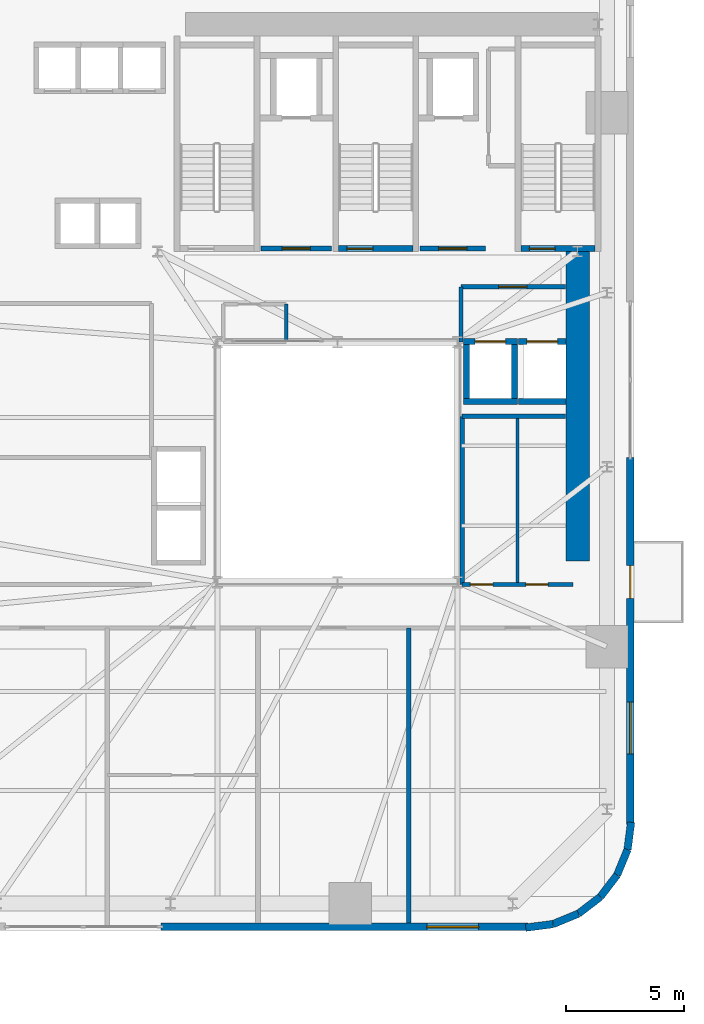
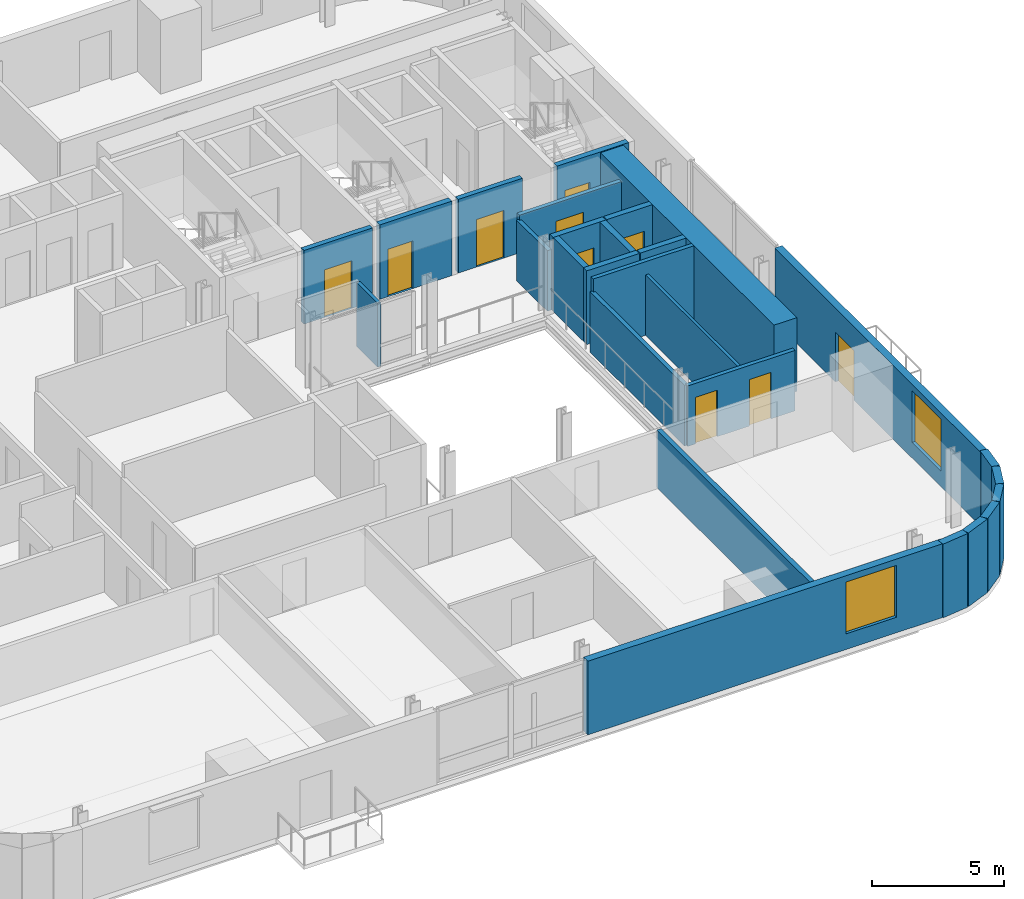
# One storey, part 7 of 13: 27 walls, 10 doors, 2 windows, 12 openings.
"""IFC4 building model written with IfcOpenShell, lengths in metres."""

from ifc_helpers import new_model, si_unit, direction, frame, frame_2d, origin, place, context, subcontext, project, spatial, rectangle, extrude, source, transform, mapped, material, layer, layer_set, type_object, element, fill, save


model = new_model("IFC4")

# Units and contexts
model_context = context("Model", 3, precision=1e-05, world=origin(), true_north=direction((0.0, 1.0)))
body_context = subcontext(model_context, "Body", "Model", "MODEL_VIEW")
ifc_project = project(units=[si_unit("LENGTHUNIT", "METRE"), si_unit("AREAUNIT", "SQUARE_METRE"), si_unit("VOLUMEUNIT", "CUBIC_METRE"), si_unit("PLANEANGLEUNIT", "RADIAN"), si_unit("MASSUNIT", "GRAM", prefix="KILO")], contexts=[model_context])

# Site, building, storey
site_placement = place(None, origin())
site = spatial("IfcSite", under=ifc_project, at=site_placement, CompositionType="ELEMENT")
building_placement = place(site_placement, origin())
building = spatial("IfcBuilding", under=site, at=building_placement, Name="Vardaveli Station Tower", CompositionType="ELEMENT")
storey_placement = place(building_placement, frame((0.0, 0.0, 31.25)))
storey = spatial("IfcBuildingStorey", under=building, at=storey_placement, Name="L07", CompositionType="ELEMENT", Elevation=31.25)

# Wall
ifc_material_1 = material(Name="Concrete C60/75", Category="concrete")
ifc_layer_1 = layer(ifc_material_1, 1.0, Name="Concrete C60/75")
ifc_layer_set_1 = layer_set([ifc_layer_1], Name="Concrete C60/75")
wall_type_1 = type_object("IfcWallType", Name="WAL-CORE-1000", PredefinedType="SHEAR", material=ifc_layer_set_1)
shared_shape_1 = source(origin(), body_context, "Body", "SweptSolid", [
    extrude(rectangle(XDim=13.14990234375, YDim=1.0, at=frame_2d((6.574951171875, 0.0))), origin(), (0.0, 0.0, 1.0), 3.409912109375),
])
wall_1_placement = place(storey_placement, frame((46.5, 17.5, 0.0), z_axis=(0.0, 0.0, 1.0), x_axis=(0.0, 1.0, 0.0)))
element("IfcWall", 1, at=wall_1_placement, inside=storey, type_object=wall_type_1, Name="SW-L07-EAST2", PredefinedType="SHEAR", context=body_context, shape_type="MappedRepresentation", body=[
    mapped(shared_shape_1, transform((0.0, 0.0, 0.0), scale=1.0)),
])

# Wall, opening, window
ifc_material_2 = material(Name="Precast concrete C45/55", Category="concrete")
ifc_layer_2 = layer(ifc_material_2, 0.320068359375, Name="Precast concrete C45/55")
ifc_layer_set_2 = layer_set([ifc_layer_2], Name="Precast concrete C45/55")
wall_type_2 = type_object("IfcWallType", Name="WAL-EXT-STONE-320", PredefinedType="SOLIDWALL", material=ifc_layer_set_2)
shared_shape_2 = source(origin(), body_context, "Body", "SweptSolid", [
    extrude(rectangle(XDim=15.599853515625, YDim=0.320068359375, at=frame_2d((7.7998046875, 0.0))), origin(), (0.0, 0.0, 1.0), 3.409912109375),
])
wall_2_placement = place(storey_placement, frame((28.800048828125, 1.9599609375, 0.0), z_axis=(0.0, 0.0, 1.0), x_axis=(1.0, 0.0, 0.0)))
wall_2 = element("IfcWall", 2, at=wall_2_placement, inside=storey, type_object=wall_type_2, Name="EW-L07-S2", PredefinedType="SOLIDWALL", context=body_context, shape_type="MappedRepresentation", body=[
    mapped(shared_shape_2, transform((0.0, 0.0, 0.0), scale=1.0)),
])
shared_shape_3 = source(origin(), body_context, "Body", "SweptSolid", [
    extrude(rectangle(XDim=2.199951171875, YDim=2.39990234375, at=frame_2d((1.10009765625, 1.199951171875))), frame((0.0, 0.169921875, 0.0), z_axis=(0.0, -1.0, 0.0), x_axis=(1.0, 0.0, 0.0)), (0.0, 0.0, 1.0), 0.340087890625),
])
opening_1_placement = place(wall_2_placement, frame((11.294921875, 0.0, 0.719970703125)))
opening_1 = element("IfcOpeningElement", 3, at=opening_1_placement, cuts=wall_2, Name="Opening W-03", PredefinedType="OPENING", context=body_context, shape_type="MappedRepresentation", body=[
    mapped(shared_shape_3, transform((0.0, 0.0, 0.0), scale=1.0)),
])
ifc_material_3 = material(Name="Low-E solar-control glass", Category="glass")
window_type = type_object("IfcWindowType", Name="WIN-LOG-2200x2400", PartitioningType="SINGLE_PANEL", PredefinedType="WINDOW", material=ifc_material_3)
shared_shape_4 = source(origin(), body_context, "Body", "SweptSolid", [
    extrude(rectangle(XDim=2.199951171875, YDim=2.39990234375, at=frame_2d((1.10009765625, 1.199951171875))), frame((0.0, 0.030029296875, 0.0), z_axis=(0.0, -1.0, 0.0), x_axis=(1.0, 0.0, 0.0)), (0.0, 0.0, 1.0), 0.06005859375),
])
window_1_placement = place(opening_1_placement, origin())
window_1 = element("IfcWindow", 4, at=window_1_placement, inside=storey, type_object=window_type, Name="WN-L07-S2", OverallHeight=2.39990234375, OverallWidth=2.199951171875, PartitioningType="SINGLE_PANEL", PredefinedType="WINDOW", context=body_context, shape_type="MappedRepresentation", body=[
    mapped(shared_shape_4, transform((0.0, 0.0, 0.0), scale=1.0)),
])
fill(opening_1, window_1)

# Wall, openings, door, window
wall_3_placement = place(storey_placement, frame((48.739990234375, 6.300048828125, 0.0), z_axis=(0.0, 0.0, 1.0), x_axis=(0.0, 1.0, 0.0)))
wall_3 = element("IfcWall", 5, at=wall_3_placement, inside=storey, type_object=wall_type_2, Name="EW-L07-E1", PredefinedType="SOLIDWALL", context=body_context, shape_type="MappedRepresentation", body=[
    mapped(shared_shape_2, transform((0.0, 0.0, 0.0), scale=1.0)),
])
shared_shape_5 = source(origin(), body_context, "Body", "SweptSolid", [
    extrude(rectangle(XDim=1.39990234375, YDim=2.300048828125, at=frame_2d((0.699951171875, 1.14990234375))), frame((0.0, 0.169921875, 0.0), z_axis=(0.0, -1.0, 0.0), x_axis=(1.0, 0.0, 0.0)), (0.0, 0.0, 1.0), 0.340087890625),
])
opening_2_placement = place(wall_3_placement, frame((9.6103515625, 0.0, 0.0)))
opening_2 = element("IfcOpeningElement", 6, at=opening_2_placement, cuts=wall_3, Name="Opening D-09", PredefinedType="OPENING", context=body_context, shape_type="MappedRepresentation", body=[
    mapped(shared_shape_5, transform((0.0, 0.0, 0.0), scale=1.0)),
])
opening_3_placement = place(wall_3_placement, frame((3.0048828125, 0.0, 0.719970703125)))
opening_3 = element("IfcOpeningElement", 7, at=opening_3_placement, cuts=wall_3, Name="Opening W-03", PredefinedType="OPENING", context=body_context, shape_type="MappedRepresentation", body=[
    mapped(shared_shape_3, transform((0.0, 0.0, 0.0), scale=1.0)),
])
ifc_material_4 = material(Name="Thermally broken aluminium glass", Category="aluminium")
door_type_1 = type_object("IfcDoorType", Name="DR-LOG-1400x2300", OperationType="DOUBLE_DOOR_SLIDING", PredefinedType="DOOR", material=ifc_material_4)
shared_shape_6 = source(origin(), body_context, "Body", "SweptSolid", [
    extrude(rectangle(XDim=1.39990234375, YDim=2.300048828125, at=frame_2d((0.699951171875, 1.14990234375))), frame((0.0, 0.02490234375, 0.0), z_axis=(0.0, -1.0, 0.0), x_axis=(1.0, 0.0, 0.0)), (0.0, 0.0, 1.0), 0.050048828125),
])
door_1_placement = place(opening_2_placement, frame((1.39990234375, 0.0, 0.0), z_axis=(0.0, 0.0, 1.0), x_axis=(-1.0, 0.0, 0.0)))
door_1 = element("IfcDoor", 8, at=door_1_placement, inside=storey, type_object=door_type_1, Name="DLG-L07-E", OperationType="DOUBLE_DOOR_SLIDING", OverallHeight=2.300048828125, OverallWidth=1.39990234375, PredefinedType="DOOR", context=body_context, shape_type="MappedRepresentation", body=[
    mapped(shared_shape_6, transform((0.0, 0.0, 0.0), scale=1.0)),
])
fill(opening_2, door_1)
window_2_placement = place(opening_3_placement, origin())
window_2 = element("IfcWindow", 9, at=window_2_placement, inside=storey, type_object=window_type, Name="WN-L07-E1", OverallHeight=2.39990234375, OverallWidth=2.199951171875, PartitioningType="SINGLE_PANEL", PredefinedType="WINDOW", context=body_context, shape_type="MappedRepresentation", body=[
    mapped(shared_shape_4, transform((0.0, 0.0, 0.0), scale=1.0)),
])
fill(opening_3, window_2)

# Walls
shared_shape_7 = source(origin(), body_context, "Body", "SweptSolid", [
    extrude(rectangle(XDim=1.170654296875, YDim=0.320068359375, at=frame_2d((0.58544921875, 0.0))), origin(), (0.0, 0.0, 1.0), 3.409912109375),
])
wall_4_placement = place(storey_placement, frame((48.62548828125, 5.23974609375, 0.0), z_axis=(0.0, 0.0, 1.0), x_axis=(0.128269133229, 0.991739395941, 0.0)))
element("IfcWall", 10, at=wall_4_placement, inside=storey, type_object=wall_type_2, Name="EW-L07-CR2-6", PredefinedType="SOLIDWALL", context=body_context, shape_type="MappedRepresentation", body=[
    mapped(shared_shape_7, transform((0.0, 0.0, 0.0), scale=1.0)),
])
shared_shape_8 = source(origin(), body_context, "Body", "SweptSolid", [
    extrude(rectangle(XDim=1.1689453125, YDim=0.320068359375, at=frame_2d((0.58447265625, 0.0))), origin(), (0.0, 0.0, 1.0), 3.409912109375),
])
for number, where, z_axis, x_axis, name in (
    (11, (47.46875, 3.231201171875, 0.0), (0.0, 0.0, 1.0), (0.608387696831, 0.793639975269, 0.0), "EW-L07-CR2-4"),
    (12, (48.179931640625, 4.158935546875, 0.0), (0.0, 0.0, 1.0), (0.381127904695, 0.924522320046, 0.0), "EW-L07-CR2-5"),
):
    element("IfcWall", number, at=place(storey_placement, frame(where, z_axis=z_axis, x_axis=x_axis)), inside=storey, type_object=wall_type_2, Name=name, PredefinedType="SOLIDWALL", context=body_context, shape_type="MappedRepresentation", body=[
        mapped(shared_shape_8, transform((0.0, 0.0, 0.0), scale=1.0)),
    ])
shared_shape_9 = source(origin(), body_context, "Body", "SweptSolid", [
    extrude(rectangle(XDim=1.168701171875, YDim=0.320068359375, at=frame_2d((0.58447265625, 0.0))), origin(), (0.0, 0.0, 1.0), 3.409912109375),
])
wall_5_placement = place(storey_placement, frame((46.541259765625, 2.520263671875, 0.0), z_axis=(0.0, 0.0, 1.0), x_axis=(0.793663520347, 0.608356981114, 0.0)))
element("IfcWall", 13, at=wall_5_placement, inside=storey, type_object=wall_type_2, Name="EW-L07-CR2-3", PredefinedType="SOLIDWALL", context=body_context, shape_type="MappedRepresentation", body=[
    mapped(shared_shape_9, transform((0.0, 0.0, 0.0), scale=1.0)),
])
shared_shape_10 = source(origin(), body_context, "Body", "SweptSolid", [
    extrude(rectangle(XDim=1.16943359375, YDim=0.320068359375, at=frame_2d((0.584716796875, 0.0))), origin(), (0.0, 0.0, 1.0), 3.409912109375),
])
wall_6_placement = place(storey_placement, frame((45.460205078125, 2.074462890625, 0.0), z_axis=(0.0, 0.0, 1.0), x_axis=(0.924479075121, 0.381232789334, 0.0)))
element("IfcWall", 14, at=wall_6_placement, inside=storey, type_object=wall_type_2, Name="EW-L07-CR2-2", PredefinedType="SOLIDWALL", context=body_context, shape_type="MappedRepresentation", body=[
    mapped(shared_shape_10, transform((0.0, 0.0, 0.0), scale=1.0)),
])
shared_shape_11 = source(origin(), body_context, "Body", "SweptSolid", [
    extrude(rectangle(XDim=1.170166015625, YDim=0.320068359375, at=frame_2d((0.5849609375, 0.0))), origin(), (0.0, 0.0, 1.0), 3.409912109375),
])
wall_7_placement = place(storey_placement, frame((44.299560546875, 1.924560546875, 0.0), z_axis=(0.0, 0.0, 1.0), x_axis=(0.991762485493, 0.128090485085, 0.0)))
element("IfcWall", 15, at=wall_7_placement, inside=storey, type_object=wall_type_2, Name="EW-L07-CR2-1", PredefinedType="SOLIDWALL", context=body_context, shape_type="MappedRepresentation", body=[
    mapped(shared_shape_11, transform((0.0, 0.0, 0.0), scale=1.0)),
])

# Wall, opening, door
ifc_material_5 = material(Name="Concrete C40/50", Category="concrete")
ifc_layer_3 = layer(ifc_material_5, 0.25, Name="Concrete C40/50")
ifc_layer_set_3 = layer_set([ifc_layer_3], Name="Concrete C40/50")
wall_type_3 = type_object("IfcWallType", Name="WAL-SHAFT-250", PredefinedType="SOLIDWALL", material=ifc_layer_set_3)
shared_shape_12 = source(origin(), body_context, "Body", "SweptSolid", [
    extrude(rectangle(XDim=3.14990234375, YDim=0.25, at=frame_2d((1.574951171875, 0.0))), origin(), (0.0, 0.0, 1.0), 3.449951171875),
])
wall_8_placement = place(storey_placement, frame((36.35009765625, 30.77490234375, 0.0), z_axis=(0.0, 0.0, 1.0), x_axis=(1.0, 0.0, 0.0)))
wall_8 = element("IfcWall", 16, at=wall_8_placement, inside=storey, type_object=wall_type_3, Name="W-L07-ST-2S", PredefinedType="SOLIDWALL", context=body_context, shape_type="MappedRepresentation", body=[
    mapped(shared_shape_12, transform((0.0, 0.0, 0.0), scale=1.0)),
])
shared_shape_13 = source(origin(), body_context, "Body", "SweptSolid", [
    extrude(rectangle(XDim=1.10009765625, YDim=2.199951171875, at=frame_2d((0.550048828125, 1.10009765625))), frame((0.0, 0.135009765625, 0.0), z_axis=(0.0, -1.0, 0.0), x_axis=(1.0, 0.0, 0.0)), (0.0, 0.0, 1.0), 0.27001953125),
])
opening_4_placement = place(wall_8_placement, frame((0.35009765625, 0.0, 0.0)))
opening_4 = element("IfcOpeningElement", 17, at=opening_4_placement, cuts=wall_8, Name="Opening D-04", PredefinedType="OPENING", context=body_context, shape_type="MappedRepresentation", body=[
    mapped(shared_shape_13, transform((0.0, 0.0, 0.0), scale=1.0)),
])
ifc_material_6 = material(Name="Steel smokeproof fire doorset", Category="steel")
door_type_2 = type_object("IfcDoorType", Name="DR-ST-1100x2200", OperationType="NOTDEFINED", PredefinedType="DOOR", material=ifc_material_6)
shared_shape_14 = source(origin(), body_context, "Body", "SweptSolid", [
    extrude(rectangle(XDim=1.10009765625, YDim=2.199951171875, at=frame_2d((0.550048828125, 1.10009765625))), frame((0.0, 0.02490234375, 0.0), z_axis=(0.0, -1.0, 0.0), x_axis=(1.0, 0.0, 0.0)), (0.0, 0.0, 1.0), 0.050048828125),
])
door_2_placement = place(opening_4_placement, origin())
door_2 = element("IfcDoor", 18, at=door_2_placement, inside=storey, type_object=door_type_2, Name="DST-2-L07", OperationType="SINGLE_SWING_LEFT", OverallHeight=2.199951171875, OverallWidth=1.10009765625, PredefinedType="DOOR", context=body_context, shape_type="MappedRepresentation", body=[
    mapped(shared_shape_14, transform((0.0, 0.0, 0.0), scale=1.0)),
])
fill(opening_4, door_2)

wall_9_placement = place(storey_placement, frame((44.10009765625, 30.77490234375, 0.0), z_axis=(0.0, 0.0, 1.0), x_axis=(1.0, 0.0, 0.0)))
wall_9 = element("IfcWall", 19, at=wall_9_placement, inside=storey, type_object=wall_type_3, Name="W-L07-ST-3S", PredefinedType="SOLIDWALL", context=body_context, shape_type="MappedRepresentation", body=[
    mapped(shared_shape_12, transform((0.0, 0.0, 0.0), scale=1.0)),
])
opening_5_placement = place(wall_9_placement, frame((0.35009765625, 0.0, 0.0)))
opening_5 = element("IfcOpeningElement", 20, at=opening_5_placement, cuts=wall_9, Name="Opening D-04", PredefinedType="OPENING", context=body_context, shape_type="MappedRepresentation", body=[
    mapped(shared_shape_13, transform((0.0, 0.0, 0.0), scale=1.0)),
])
door_3_placement = place(opening_5_placement, origin())
door_3 = element("IfcDoor", 21, at=door_3_placement, inside=storey, type_object=door_type_2, Name="DST-3-L07", OperationType="SINGLE_SWING_LEFT", OverallHeight=2.199951171875, OverallWidth=1.10009765625, PredefinedType="DOOR", context=body_context, shape_type="MappedRepresentation", body=[
    mapped(shared_shape_14, transform((0.0, 0.0, 0.0), scale=1.0)),
])
fill(opening_5, door_3)

ifc_layer_4 = layer(ifc_material_5, 0.219970703125, Name="Concrete C40/50")
ifc_layer_set_4 = layer_set([ifc_layer_4], Name="Concrete C40/50")
wall_type_4 = type_object("IfcWallType", Name="WAL-FFLOBBY-220", PredefinedType="SOLIDWALL", material=ifc_layer_set_4)
shared_shape_15 = source(origin(), body_context, "Body", "SweptSolid", [
    extrude(rectangle(XDim=3.0, YDim=0.219970703125, at=frame_2d((1.5, 0.0))), origin(), (0.0, 0.0, 1.0), 3.409912109375),
])
wall_10_placement = place(storey_placement, frame((33.050048828125, 30.780029296875, 0.0), z_axis=(0.0, 0.0, 1.0), x_axis=(1.0, 0.0, 0.0)))
wall_10 = element("IfcWall", 22, at=wall_10_placement, inside=storey, type_object=wall_type_4, Name="W-L07-FFL1S", PredefinedType="SOLIDWALL", context=body_context, shape_type="MappedRepresentation", body=[
    mapped(shared_shape_15, transform((0.0, 0.0, 0.0), scale=1.0)),
])
shared_shape_16 = source(origin(), body_context, "Body", "SweptSolid", [
    extrude(rectangle(XDim=1.199951171875, YDim=2.199951171875, at=frame_2d((0.60009765625, 1.10009765625))), frame((0.0, 0.1201171875, 0.0), z_axis=(0.0, -1.0, 0.0), x_axis=(1.0, 0.0, 0.0)), (0.0, 0.0, 1.0), 0.239990234375),
])
opening_6_placement = place(wall_10_placement, frame((0.89990234375, 0.0, 0.0)))
opening_6 = element("IfcOpeningElement", 23, at=opening_6_placement, cuts=wall_10, Name="Opening D-03", PredefinedType="OPENING", context=body_context, shape_type="MappedRepresentation", body=[
    mapped(shared_shape_16, transform((0.0, 0.0, 0.0), scale=1.0)),
])
door_type_3 = type_object("IfcDoorType", Name="DR-FFL-1200x2200", OperationType="NOTDEFINED", PredefinedType="DOOR", material=ifc_material_6)
shared_shape_17 = source(origin(), body_context, "Body", "SweptSolid", [
    extrude(rectangle(XDim=1.199951171875, YDim=2.199951171875, at=frame_2d((0.60009765625, 1.10009765625))), frame((0.0, 0.02490234375, 0.0), z_axis=(0.0, -1.0, 0.0), x_axis=(1.0, 0.0, 0.0)), (0.0, 0.0, 1.0), 0.050048828125),
])
door_4_placement = place(opening_6_placement, origin())
door_4 = element("IfcDoor", 24, at=door_4_placement, inside=storey, type_object=door_type_3, Name="DFFL1-L07", OperationType="SINGLE_SWING_LEFT", OverallHeight=2.199951171875, OverallWidth=1.199951171875, PredefinedType="DOOR", context=body_context, shape_type="MappedRepresentation", body=[
    mapped(shared_shape_17, transform((0.0, 0.0, 0.0), scale=1.0)),
])
fill(opening_6, door_4)

shared_shape_18 = source(origin(), body_context, "Body", "SweptSolid", [
    extrude(rectangle(XDim=2.800048828125, YDim=0.219970703125, at=frame_2d((1.39990234375, 0.0))), origin(), (0.0, 0.0, 1.0), 3.409912109375),
])
wall_11_placement = place(storey_placement, frame((39.800048828125, 30.780029296875, 0.0), z_axis=(0.0, 0.0, 1.0), x_axis=(1.0, 0.0, 0.0)))
wall_11 = element("IfcWall", 25, at=wall_11_placement, inside=storey, type_object=wall_type_4, Name="W-L07-FFL2S", PredefinedType="SOLIDWALL", context=body_context, shape_type="MappedRepresentation", body=[
    mapped(shared_shape_18, transform((0.0, 0.0, 0.0), scale=1.0)),
])
opening_7_placement = place(wall_11_placement, frame((0.800048828125, 0.0, 0.0)))
opening_7 = element("IfcOpeningElement", 26, at=opening_7_placement, cuts=wall_11, Name="Opening D-03", PredefinedType="OPENING", context=body_context, shape_type="MappedRepresentation", body=[
    mapped(shared_shape_16, transform((0.0, 0.0, 0.0), scale=1.0)),
])
door_5_placement = place(opening_7_placement, origin())
door_5 = element("IfcDoor", 27, at=door_5_placement, inside=storey, type_object=door_type_3, Name="DFFL2-L07", OperationType="SINGLE_SWING_RIGHT", OverallHeight=2.199951171875, OverallWidth=1.199951171875, PredefinedType="DOOR", context=body_context, shape_type="MappedRepresentation", body=[
    mapped(shared_shape_17, transform((0.0, 0.0, 0.0), scale=1.0)),
])
fill(opening_7, door_5)

# Wall
shared_shape_19 = source(origin(), body_context, "Body", "SweptSolid", [
    extrude(rectangle(XDim=2.300048828125, YDim=0.25, at=frame_2d((1.14990234375, 0.0))), origin(), (0.0, 0.0, 1.0), 3.409912109375),
])
wall_12_placement = place(storey_placement, frame((41.64990234375, 24.27490234375, 0.0), z_axis=(0.0, 0.0, 1.0), x_axis=(1.0, 0.0, 0.0)))
element("IfcWall", 28, at=wall_12_placement, inside=storey, type_object=wall_type_3, Name="SHW-SRV-01-L07-S", PredefinedType="SOLIDWALL", context=body_context, shape_type="MappedRepresentation", body=[
    mapped(shared_shape_19, transform((0.0, 0.0, 0.0), scale=1.0)),
])

# Wall, opening, door
wall_13_placement = place(storey_placement, frame((41.64990234375, 26.824951171875, 0.0), z_axis=(0.0, 0.0, 1.0), x_axis=(1.0, 0.0, 0.0)))
wall_13 = element("IfcWall", 29, at=wall_13_placement, inside=storey, type_object=wall_type_3, Name="SHW-SRV-01-L07-N", PredefinedType="SOLIDWALL", context=body_context, shape_type="MappedRepresentation", body=[
    mapped(shared_shape_19, transform((0.0, 0.0, 0.0), scale=1.0)),
])
shared_shape_20 = source(origin(), body_context, "Body", "SweptSolid", [
    extrude(rectangle(XDim=1.300048828125, YDim=2.300048828125, at=frame_2d((0.64990234375, 1.14990234375))), frame((0.0, 0.135009765625, 0.0), z_axis=(0.0, -1.0, 0.0), x_axis=(1.0, 0.0, 0.0)), (0.0, 0.0, 1.0), 0.27001953125),
])
opening_8_placement = place(wall_13_placement, frame((0.5, 0.0, 0.0)))
opening_8 = element("IfcOpeningElement", 30, at=opening_8_placement, cuts=wall_13, Name="Opening LD-03", PredefinedType="OPENING", context=body_context, shape_type="MappedRepresentation", body=[
    mapped(shared_shape_20, transform((0.0, 0.0, 0.0), scale=1.0)),
])
ifc_material_7 = material(Name="Brushed stainless steel", Category="steel")
door_type_4 = type_object("IfcDoorType", Name="DR-LD-1300x2300", OperationType="DOUBLE_DOOR_SLIDING", PredefinedType="DOOR", material=ifc_material_7)
shared_shape_21 = source(origin(), body_context, "Body", "SweptSolid", [
    extrude(rectangle(XDim=1.300048828125, YDim=2.300048828125, at=frame_2d((0.64990234375, 1.14990234375))), frame((0.0, 0.02490234375, 0.0), z_axis=(0.0, -1.0, 0.0), x_axis=(1.0, 0.0, 0.0)), (0.0, 0.0, 1.0), 0.050048828125),
])
door_6_placement = place(opening_8_placement, origin())
door_6 = element("IfcDoor", 31, at=door_6_placement, inside=storey, type_object=door_type_4, Name="LD-SRV-01-L07", OperationType="DOUBLE_DOOR_SLIDING", OverallHeight=2.300048828125, OverallWidth=1.300048828125, PredefinedType="DOOR", context=body_context, shape_type="MappedRepresentation", body=[
    mapped(shared_shape_21, transform((0.0, 0.0, 0.0), scale=1.0)),
])
fill(opening_8, door_6)

# Walls
for number, where, z_axis, x_axis, name in (
    (32, (41.77490234375, 24.39990234375, 0.0), (0.0, 0.0, 1.0), (0.0, 1.0, 0.0), "SHW-SRV-01-L07-W"),
    (33, (43.824951171875, 24.39990234375, 0.0), (0.0, 0.0, 1.0), (0.0, 1.0, 0.0), "SHW-SRV-01-L07-E"),
):
    element("IfcWall", number, at=place(storey_placement, frame(where, z_axis=z_axis, x_axis=x_axis)), inside=storey, type_object=wall_type_3, Name=name, PredefinedType="SOLIDWALL", context=body_context, shape_type="MappedRepresentation", body=[
        mapped(shared_shape_19, transform((0.0, 0.0, 0.0), scale=1.0)),
    ])
shared_shape_22 = source(origin(), body_context, "Body", "SweptSolid", [
    extrude(rectangle(XDim=2.0, YDim=0.25, at=frame_2d((1.0, 0.0))), origin(), (0.0, 0.0, 1.0), 3.409912109375),
])
wall_14_placement = place(storey_placement, frame((44.0, 24.27490234375, 0.0), z_axis=(0.0, 0.0, 1.0), x_axis=(1.0, 0.0, 0.0)))
element("IfcWall", 34, at=wall_14_placement, inside=storey, type_object=wall_type_3, Name="SHW-SRV-02-L07-S", PredefinedType="SOLIDWALL", context=body_context, shape_type="MappedRepresentation", body=[
    mapped(shared_shape_22, transform((0.0, 0.0, 0.0), scale=1.0)),
])

# Wall, opening, door
wall_15_placement = place(storey_placement, frame((44.0, 26.824951171875, 0.0), z_axis=(0.0, 0.0, 1.0), x_axis=(1.0, 0.0, 0.0)))
wall_15 = element("IfcWall", 35, at=wall_15_placement, inside=storey, type_object=wall_type_3, Name="SHW-SRV-02-L07-N", PredefinedType="SOLIDWALL", context=body_context, shape_type="MappedRepresentation", body=[
    mapped(shared_shape_22, transform((0.0, 0.0, 0.0), scale=1.0)),
])
opening_9_placement = place(wall_15_placement, frame((0.35009765625, 0.0, 0.0)))
opening_9 = element("IfcOpeningElement", 36, at=opening_9_placement, cuts=wall_15, Name="Opening LD-03", PredefinedType="OPENING", context=body_context, shape_type="MappedRepresentation", body=[
    mapped(shared_shape_20, transform((0.0, 0.0, 0.0), scale=1.0)),
])
door_7_placement = place(opening_9_placement, origin())
door_7 = element("IfcDoor", 37, at=door_7_placement, inside=storey, type_object=door_type_4, Name="LD-SRV-02-L07", OperationType="DOUBLE_DOOR_SLIDING", OverallHeight=2.300048828125, OverallWidth=1.300048828125, PredefinedType="DOOR", context=body_context, shape_type="MappedRepresentation", body=[
    mapped(shared_shape_21, transform((0.0, 0.0, 0.0), scale=1.0)),
])
fill(opening_9, door_7)

ifc_material_8 = material(Name="Fire-rated gypsum stud partition")
ifc_layer_5 = layer(ifc_material_8, 0.179931640625, Name="Fire-rated gypsum stud partition")
ifc_layer_set_5 = layer_set([ifc_layer_5], Name="Fire-rated gypsum stud partition")
wall_type_5 = type_object("IfcWallType", Name="WAL-CORR-180", PredefinedType="PARTITIONING", material=ifc_layer_set_5)
shared_shape_23 = source(origin(), body_context, "Body", "SweptSolid", [
    extrude(rectangle(XDim=4.447998046875, YDim=0.179931640625, at=frame_2d((2.22412109375, 0.0))), origin(), (0.0, 0.0, 1.0), 3.0419921875),
])
wall_16_placement = place(storey_placement, frame((41.550048828125, 29.14990234375, 0.0), z_axis=(0.0, 0.0, 1.0), x_axis=(1.0, 0.0, 0.0)))
wall_16 = element("IfcWall", 38, at=wall_16_placement, inside=storey, type_object=wall_type_5, Name="W-L07-SVFN", PredefinedType="PARTITIONING", context=body_context, shape_type="MappedRepresentation", body=[
    mapped(shared_shape_23, transform((0.0, 0.0, 0.0), scale=1.0)),
])
shared_shape_24 = source(origin(), body_context, "Body", "SweptSolid", [
    extrude(rectangle(XDim=1.199951171875, YDim=2.199951171875, at=frame_2d((0.60009765625, 1.10009765625))), frame((0.0, 0.10009765625, 0.0), z_axis=(0.0, -1.0, 0.0), x_axis=(1.0, 0.0, 0.0)), (0.0, 0.0, 1.0), 0.199951171875),
])
opening_10_placement = place(wall_16_placement, frame((1.60009765625, 0.0, 0.0)))
opening_10 = element("IfcOpeningElement", 39, at=opening_10_placement, cuts=wall_16, Name="Opening D-03", PredefinedType="OPENING", context=body_context, shape_type="MappedRepresentation", body=[
    mapped(shared_shape_24, transform((0.0, 0.0, 0.0), scale=1.0)),
])
door_8_placement = place(opening_10_placement, origin())
door_8 = element("IfcDoor", 40, at=door_8_placement, inside=storey, type_object=door_type_3, Name="D-L07-SVF", OperationType="SINGLE_SWING_RIGHT", OverallHeight=2.199951171875, OverallWidth=1.199951171875, PredefinedType="DOOR", context=body_context, shape_type="MappedRepresentation", body=[
    mapped(shared_shape_17, transform((0.0, 0.0, 0.0), scale=1.0)),
])
fill(opening_10, door_8)

# Wall, openings, doors
shared_shape_25 = source(origin(), body_context, "Body", "SweptSolid", [
    extrude(rectangle(XDim=4.699951171875, YDim=0.179931640625, at=frame_2d((2.35009765625, 0.0))), origin(), (0.0, 0.0, 1.0), 2.802001953125),
])
wall_17_placement = place(storey_placement, frame((41.60009765625, 16.5, 0.0), z_axis=(0.0, 0.0, 1.0), x_axis=(1.0, 0.0, 0.0)))
wall_17 = element("IfcWall", 41, at=wall_17_placement, inside=storey, type_object=wall_type_5, Name="W-L07-ATE-S", PredefinedType="PARTITIONING", context=body_context, shape_type="MappedRepresentation", body=[
    mapped(shared_shape_25, transform((0.0, 0.0, 0.0), scale=1.0)),
])
shared_shape_26 = source(origin(), body_context, "Body", "SweptSolid", [
    extrude(rectangle(XDim=0.949951171875, YDim=2.14990234375, at=frame_2d((0.47509765625, 1.074951171875))), frame((0.0, 0.10009765625, 0.0), z_axis=(0.0, -1.0, 0.0), x_axis=(1.0, 0.0, 0.0)), (0.0, 0.0, 1.0), 0.199951171875),
])
opening_11_placement = place(wall_17_placement, frame((0.35009765625, 0.0, 0.0)))
opening_11 = element("IfcOpeningElement", 42, at=opening_11_placement, cuts=wall_17, Name="Opening D-11", PredefinedType="OPENING", context=body_context, shape_type="MappedRepresentation", body=[
    mapped(shared_shape_26, transform((0.0, 0.0, 0.0), scale=1.0)),
])
opening_12_placement = place(wall_17_placement, frame((2.699951171875, 0.0, 0.0)))
opening_12 = element("IfcOpeningElement", 43, at=opening_12_placement, cuts=wall_17, Name="Opening D-11", PredefinedType="OPENING", context=body_context, shape_type="MappedRepresentation", body=[
    mapped(shared_shape_26, transform((0.0, 0.0, 0.0), scale=1.0)),
])
ifc_material_9 = material(Name="Oak veneer internal suite door")
door_type_5 = type_object("IfcDoorType", Name="DR-INT-950x2150", OperationType="NOTDEFINED", PredefinedType="DOOR", material=ifc_material_9)
shared_shape_27 = source(origin(), body_context, "Body", "SweptSolid", [
    extrude(rectangle(XDim=0.949951171875, YDim=2.14990234375, at=frame_2d((0.47509765625, 1.074951171875))), frame((0.0, 0.02490234375, 0.0), z_axis=(0.0, -1.0, 0.0), x_axis=(1.0, 0.0, 0.0)), (0.0, 0.0, 1.0), 0.050048828125),
])
door_9_placement = place(opening_11_placement, origin())
door_9 = element("IfcDoor", 44, at=door_9_placement, inside=storey, type_object=door_type_5, Name="D-L07-ATE1", OperationType="SINGLE_SWING_RIGHT", OverallHeight=2.14990234375, OverallWidth=0.949951171875, PredefinedType="DOOR", context=body_context, shape_type="MappedRepresentation", body=[
    mapped(shared_shape_27, transform((0.0, 0.0, 0.0), scale=1.0)),
])
fill(opening_11, door_9)
door_10_placement = place(opening_12_placement, origin())
door_10 = element("IfcDoor", 45, at=door_10_placement, inside=storey, type_object=door_type_5, Name="D-L07-ATE2", OperationType="SINGLE_SWING_RIGHT", OverallHeight=2.14990234375, OverallWidth=0.949951171875, PredefinedType="DOOR", context=body_context, shape_type="MappedRepresentation", body=[
    mapped(shared_shape_27, transform((0.0, 0.0, 0.0), scale=1.0)),
])
fill(opening_12, door_10)

# Walls
shared_shape_28 = source(origin(), body_context, "Body", "SweptSolid", [
    extrude(rectangle(XDim=7.14990234375, YDim=0.179931640625, at=frame_2d((3.574951171875, 0.0))), origin(), (0.0, 0.0, 1.0), 2.802001953125),
])
wall_18_placement = place(storey_placement, frame((41.60009765625, 16.5, 0.0), z_axis=(0.0, 0.0, 1.0), x_axis=(0.0, 1.0, 0.0)))
element("IfcWall", 46, at=wall_18_placement, inside=storey, type_object=wall_type_5, Name="W-L07-ATE-W", PredefinedType="PARTITIONING", context=body_context, shape_type="MappedRepresentation", body=[
    mapped(shared_shape_28, transform((0.0, 0.0, 0.0), scale=1.0)),
])
shared_shape_29 = source(origin(), body_context, "Body", "SweptSolid", [
    extrude(rectangle(XDim=4.39794921875, YDim=0.179931640625, at=frame_2d((2.198974609375, 0.0))), origin(), (0.0, 0.0, 1.0), 3.409912109375),
])
wall_19_placement = place(storey_placement, frame((41.60009765625, 23.64990234375, 0.0), z_axis=(0.0, 0.0, 1.0), x_axis=(1.0, 0.0, 0.0)))
element("IfcWall", 47, at=wall_19_placement, inside=storey, type_object=wall_type_5, Name="W-L07-ATE-N", PredefinedType="PARTITIONING", context=body_context, shape_type="MappedRepresentation", body=[
    mapped(shared_shape_29, transform((0.0, 0.0, 0.0), scale=1.0)),
])
shared_shape_30 = source(origin(), body_context, "Body", "SweptSolid", [
    extrude(rectangle(XDim=2.349853515625, YDim=0.179931640625, at=frame_2d((1.1748046875, 0.0))), origin(), (0.0, 0.0, 1.0), 2.802001953125),
])
wall_20_placement = place(storey_placement, frame((41.550048828125, 26.800048828125, 0.0), z_axis=(0.0, 0.0, 1.0), x_axis=(0.0, 1.0, 0.0)))
element("IfcWall", 48, at=wall_20_placement, inside=storey, type_object=wall_type_5, Name="W-L07-SVFW", PredefinedType="PARTITIONING", context=body_context, shape_type="MappedRepresentation", body=[
    mapped(shared_shape_30, transform((0.0, 0.0, 0.0), scale=1.0)),
])
ifc_material_10 = material(Name="Acoustic twin-stud gypsum partition")
ifc_layer_6 = layer(ifc_material_10, 0.199951171875, Name="Acoustic twin-stud gypsum partition")
ifc_layer_set_6 = layer_set([ifc_layer_6], Name="Acoustic twin-stud gypsum partition")
wall_type_6 = type_object("IfcWallType", Name="WAL-PARTY-200", PredefinedType="PARTITIONING", material=ifc_layer_set_6)
shared_shape_31 = source(origin(), body_context, "Body", "SweptSolid", [
    extrude(rectangle(XDim=12.537841796875, YDim=0.199951171875, at=frame_2d((6.26904296875, 0.0))), origin(), (0.0, 0.0, 1.0), 2.652099609375),
])
wall_21_placement = place(storey_placement, frame((39.330078125, 2.1220703125, 0.0), z_axis=(0.0, 0.0, 1.0), x_axis=(0.0, 1.0, 0.0)))
element("IfcWall", 49, at=wall_21_placement, inside=storey, type_object=wall_type_6, Name="W-L07-PS4", PredefinedType="PARTITIONING", context=body_context, shape_type="MappedRepresentation", body=[
    mapped(shared_shape_31, transform((0.0, 0.0, 0.0), scale=1.0)),
])
ifc_material_11 = material(Name="Gypsum board stud partition")
ifc_layer_7 = layer(ifc_material_11, 0.125, Name="Gypsum board stud partition")
ifc_layer_set_7 = layer_set([ifc_layer_7], Name="Gypsum board stud partition")
wall_type_7 = type_object("IfcWallType", Name="WAL-INT-125", PredefinedType="PARTITIONING", material=ifc_layer_set_7)
shared_shape_32 = source(origin(), body_context, "Body", "SweptSolid", [
    extrude(rectangle(XDim=7.14990234375, YDim=0.125, at=frame_2d((3.574951171875, 0.0))), origin(), (0.0, 0.0, 1.0), 2.802001953125),
])
wall_22_placement = place(storey_placement, frame((43.949951171875, 16.5, 0.0), z_axis=(0.0, 0.0, 1.0), x_axis=(0.0, 1.0, 0.0)))
element("IfcWall", 50, at=wall_22_placement, inside=storey, type_object=wall_type_7, Name="W-L07-ATEM", PredefinedType="PARTITIONING", context=body_context, shape_type="MappedRepresentation", body=[
    mapped(shared_shape_32, transform((0.0, 0.0, 0.0), scale=1.0)),
])
ifc_material_12 = material(Name="Moisture-resistant stud partition")
ifc_layer_8 = layer(ifc_material_12, 0.14990234375, Name="Moisture-resistant stud partition")
ifc_layer_set_8 = layer_set([ifc_layer_8], Name="Moisture-resistant stud partition")
wall_type_8 = type_object("IfcWallType", Name="WAL-WET-150", PredefinedType="PARTITIONING", material=ifc_layer_set_8)
shared_shape_33 = source(origin(), body_context, "Body", "SweptSolid", [
    extrude(rectangle(XDim=1.599853515625, YDim=0.14990234375, at=frame_2d((0.7998046875, 0.0))), origin(), (0.0, 0.0, 1.0), 2.951904296875),
])
wall_23_placement = place(storey_placement, frame((34.1201171875, 26.820068359375, 0.0), z_axis=(0.0, 0.0, 1.0), x_axis=(0.0, 1.0, 0.0)))
element("IfcWall", 51, at=wall_23_placement, inside=storey, type_object=wall_type_8, Name="W-L07-WCA1-E", PredefinedType="PARTITIONING", context=body_context, shape_type="MappedRepresentation", body=[
    mapped(shared_shape_33, transform((0.0, 0.0, 0.0), scale=1.0)),
])

save(model, "model.ifc")
